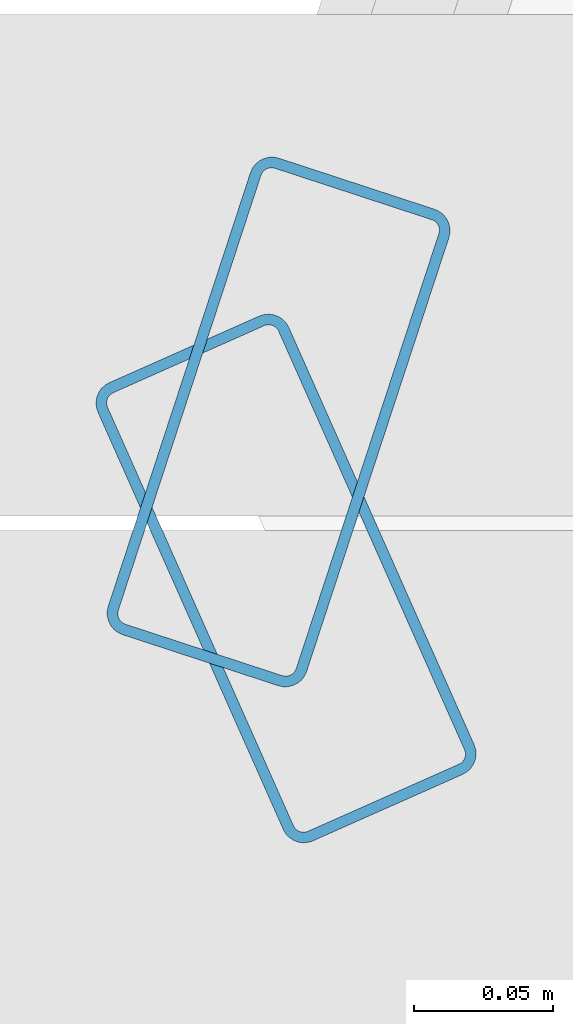
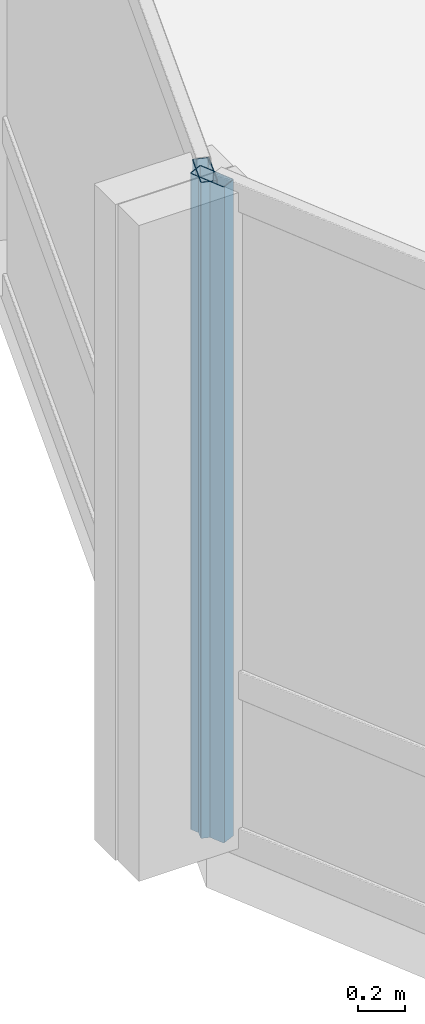
# One storey, part 6 of 34: 2 members, 2 elements without a shape of their own.
"""IFC4 building model written with IfcOpenShell, lengths in metres."""

from ifc_helpers import new_model, si_unit, direction, frame, origin, origin_2d, place, context, subcontext, project, spatial, hollow_rectangle, extrude, material, layer, layer_set, material_profile, profile_set, type_object, element, aggregate, save


model = new_model("IFC4")

# Units and contexts
model_context = context("Model", 3, precision=1e-05, world=origin(), true_north=direction((0.0, 1.0)))
body_context = subcontext(model_context, "Body", "Model", "MODEL_VIEW")
ifc_project = project(units=[si_unit("LENGTHUNIT", "METRE"), si_unit("AREAUNIT", "SQUARE_METRE"), si_unit("VOLUMEUNIT", "CUBIC_METRE"), si_unit("PLANEANGLEUNIT", "RADIAN"), si_unit("MASSUNIT", "GRAM", prefix="KILO")], contexts=[model_context])

# Site, building, storey
site_placement = place(None, origin())
site = spatial("IfcSite", under=ifc_project, at=site_placement, CompositionType="ELEMENT")
building_placement = place(site_placement, origin())
building = spatial("IfcBuilding", under=site, at=building_placement, Name="Solvaryn Broadcast Tower", CompositionType="ELEMENT")
storey_placement = place(building_placement, frame((0.0, 0.0, 54.5)))
storey = spatial("IfcBuildingStorey", under=building, at=storey_placement, Name="L12", CompositionType="ELEMENT", Elevation=54.5)

# Curtain wall, member
ifc_material_1 = material(Name="Aluminium and Terracotta Unitised Curtain Wall", Category="masonry")
ifc_layer = layer(ifc_material_1, 0.199951171875)
ifc_layer_set = layer_set([ifc_layer], Name="CW-SYS2-LOWMID")
curtain_wall_type = type_object("IfcCurtainWallType", Name="CW-SYS2-LOWMID", PredefinedType="NOTDEFINED", material=ifc_layer_set)
curtain_wall_1_placement = place(storey_placement, origin())
curtain_wall_1 = element("IfcCurtainWall", 1, at=curtain_wall_1_placement, inside=storey, type_object=curtain_wall_type, Name="L12 Curtain Wall DR1", PredefinedType="NOTDEFINED")
ifc_material_2 = material(Name="Anodised Aluminium 6063-T6", Category="aluminium")
ifc_material_profile = material_profile(ifc_material_2, hollow_rectangle(XDim=0.074951171875, YDim=0.179931640625, WallThickness=0.00390625, InnerFilletRadius=0.00390625, OuterFilletRadius=0.008056640625, at=origin_2d()))
ifc_profile_set = profile_set([ifc_material_profile], Name="Anodised Aluminium 6063-T6")
member_type = type_object("IfcMemberType", Name="CW-MUL-180", PredefinedType="MULLION", material=ifc_profile_set)
member_1_placement = place(storey_placement, frame((-0.45458984375, 26.588623046875, 0.0), z_axis=(0.0, 0.0, 1.0), x_axis=(0.950215318429, -0.311594044587, 0.0)))
member_1 = element("IfcMember", 2, at=member_1_placement, type_object=member_type, Name="CWS2 mullion 2", PredefinedType="MULLION", context=body_context, shape_type="SweptSolid", body=[
    extrude(hollow_rectangle(XDim=0.074951171875, YDim=0.179931640625, WallThickness=0.00390625, InnerFilletRadius=0.00390625, OuterFilletRadius=0.008056640625, at=origin_2d()), origin(), (0.0, 0.0, 1.0), 3.419921875),
])
aggregate(curtain_wall_1, [member_1])

curtain_wall_2_placement = place(storey_placement, origin())
curtain_wall_2 = element("IfcCurtainWall", 3, at=curtain_wall_2_placement, inside=storey, type_object=curtain_wall_type, Name="L12 Curtain Wall DR2", PredefinedType="NOTDEFINED")
member_2_placement = place(storey_placement, frame((-0.451904296875, 26.532470703125, 0.0), z_axis=(0.0, 0.0, 1.0), x_axis=(0.913918257271, 0.405898286554, 0.0)))
member_2 = element("IfcMember", 4, at=member_2_placement, type_object=member_type, Name="CWS2 mullion 1", PredefinedType="MULLION", context=body_context, shape_type="SweptSolid", body=[
    extrude(hollow_rectangle(XDim=0.074951171875, YDim=0.179931640625, WallThickness=0.00390625, InnerFilletRadius=0.00390625, OuterFilletRadius=0.008056640625, at=origin_2d()), origin(), (0.0, 0.0, 1.0), 3.419921875),
])
aggregate(curtain_wall_2, [member_2])

save(model, "model.ifc")
